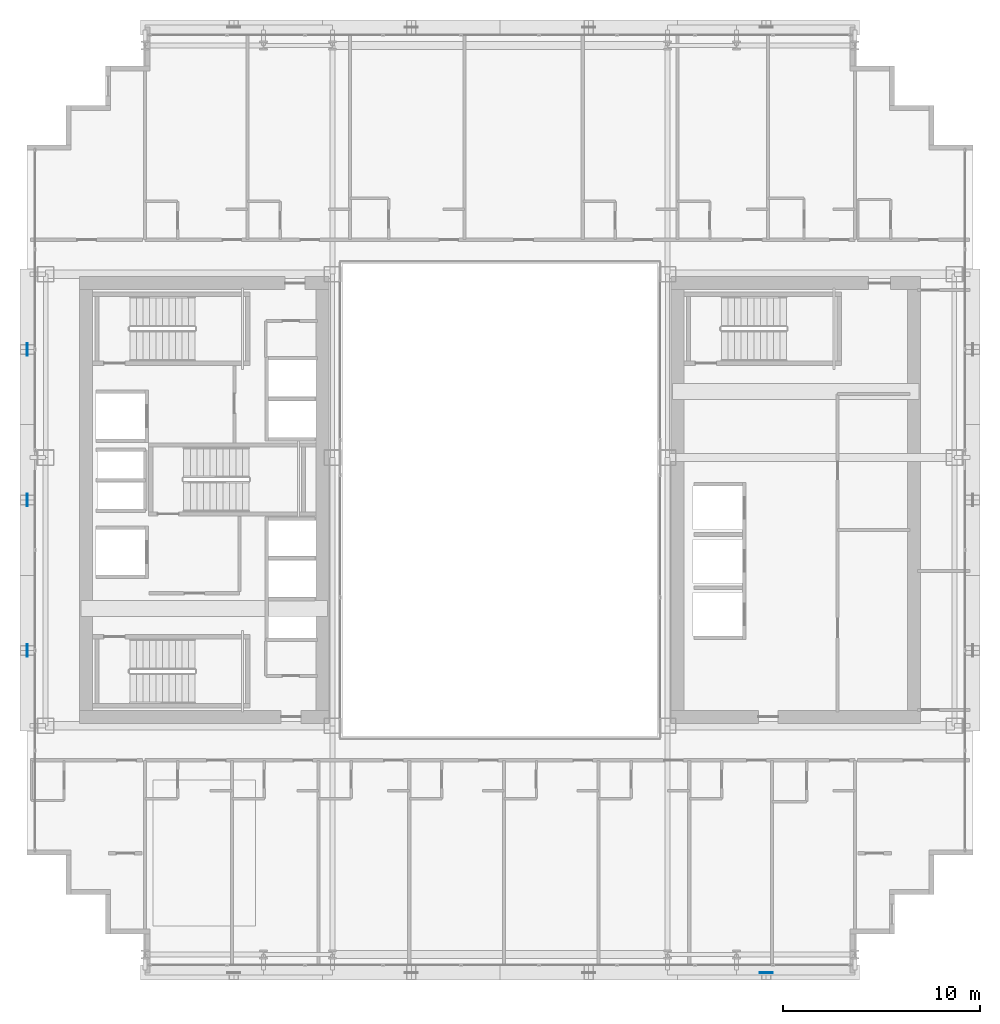
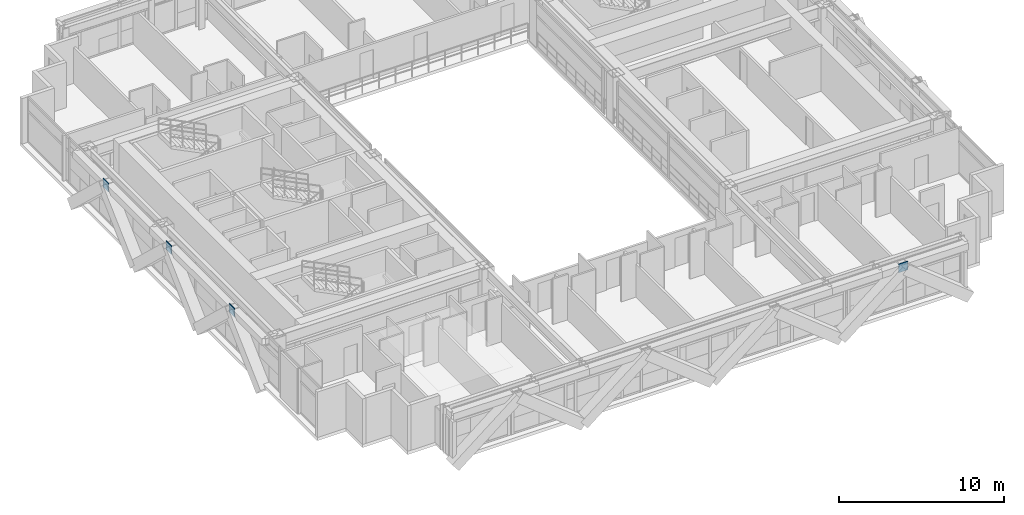
# One storey, part 29 of 39: 4 plates.
"""IFC4 building model written with IfcOpenShell, lengths in metres."""

from ifc_helpers import new_model, si_unit, direction, frame, origin, origin_2d, place, context, subcontext, project, spatial, rectangle, extrude, source, transform, mapped, material, layer, layer_set, type_object, element, save


model = new_model("IFC4")

# Units and contexts
model_context = context("Model", 3, precision=1e-05, world=origin(), true_north=direction((0.0, 1.0)))
body_context = subcontext(model_context, "Body", "Model", "MODEL_VIEW")
ifc_project = project(units=[si_unit("LENGTHUNIT", "METRE"), si_unit("AREAUNIT", "SQUARE_METRE"), si_unit("VOLUMEUNIT", "CUBIC_METRE"), si_unit("PLANEANGLEUNIT", "RADIAN"), si_unit("MASSUNIT", "GRAM", prefix="KILO")], contexts=[model_context])

# Site, building, storey
site_placement = place(None, origin())
site = spatial("IfcSite", under=ifc_project, at=site_placement, CompositionType="ELEMENT")
building_placement = place(site_placement, origin())
building = spatial("IfcBuilding", under=site, at=building_placement, Name="Ocotamira Hotel", CompositionType="ELEMENT")
storey_placement = place(building_placement, frame((0.0, 0.0, 104.39990234375)))
storey = spatial("IfcBuildingStorey", under=building, at=storey_placement, Name="L25", CompositionType="ELEMENT", Elevation=104.39990234375)

# Plates
ifc_material = material(Name="Pale-metal coated steel ASTM A572 Grade 50", Category="steel")
ifc_layer = layer(ifc_material, 0.0400390625)
ifc_layer_set = layer_set([ifc_layer], Name="Pale-metal coated steel ASTM A572 Grade 50")
plate_type = type_object("IfcPlateType", Name="PLT-GUSSET-40", PredefinedType="SHEET", material=ifc_layer_set)
shared_shape_1 = source(origin(), body_context, "Body", "SweptSolid", [
    extrude(rectangle(XDim=0.64990234375, YDim=0.0400390625, at=origin_2d()), origin(), (0.0, 0.0, 1.0), 0.64990234375),
])
plate_placement = place(storey_placement, frame((45.5, 2.030029296875, 2.78515625), z_axis=(0.0, 0.0, 1.0), x_axis=(1.0, 0.0, 0.0)))
element("IfcPlate", 1, at=plate_placement, inside=storey, type_object=plate_type, Name="L25 Exoskeleton Diagrid S3.1 End Gusset B", PredefinedType="SHEET", context=body_context, shape_type="MappedRepresentation", body=[
    mapped(shared_shape_1, transform((0.0, 0.0, 0.0), scale=1.0)),
])
shared_shape_2 = source(origin(), body_context, "Body", "SweptSolid", [
    extrude(rectangle(XDim=0.0400390625, YDim=0.64990234375, at=origin_2d()), origin(), (0.0, 0.0, 1.0), 0.64990234375),
])
for number, where, z_axis, x_axis, name in (
    (2, (8.030029296875, 18.36669921875, 2.78515625), (0.0, 0.0, 1.0), (1.0, 0.0, 0.0), "L25 Exoskeleton Diagrid W0.1 End Gusset B"),
    (3, (8.030029296875, 26.0, 2.78515625), (0.0, 0.0, 1.0), (1.0, 0.0, 0.0), "L25 Exoskeleton Diagrid W1.1 End Gusset B"),
    (4, (8.030029296875, 33.63330078125, 2.78515625), (0.0, 0.0, 1.0), (1.0, 0.0, 0.0), "L25 Exoskeleton Diagrid W2.1 End Gusset B"),
):
    element("IfcPlate", number, at=place(storey_placement, frame(where, z_axis=z_axis, x_axis=x_axis)), inside=storey, type_object=plate_type, Name=name, PredefinedType="SHEET", context=body_context, shape_type="MappedRepresentation", body=[
        mapped(shared_shape_2, transform((0.0, 0.0, 0.0), scale=1.0)),
    ])

save(model, "model.ifc")
